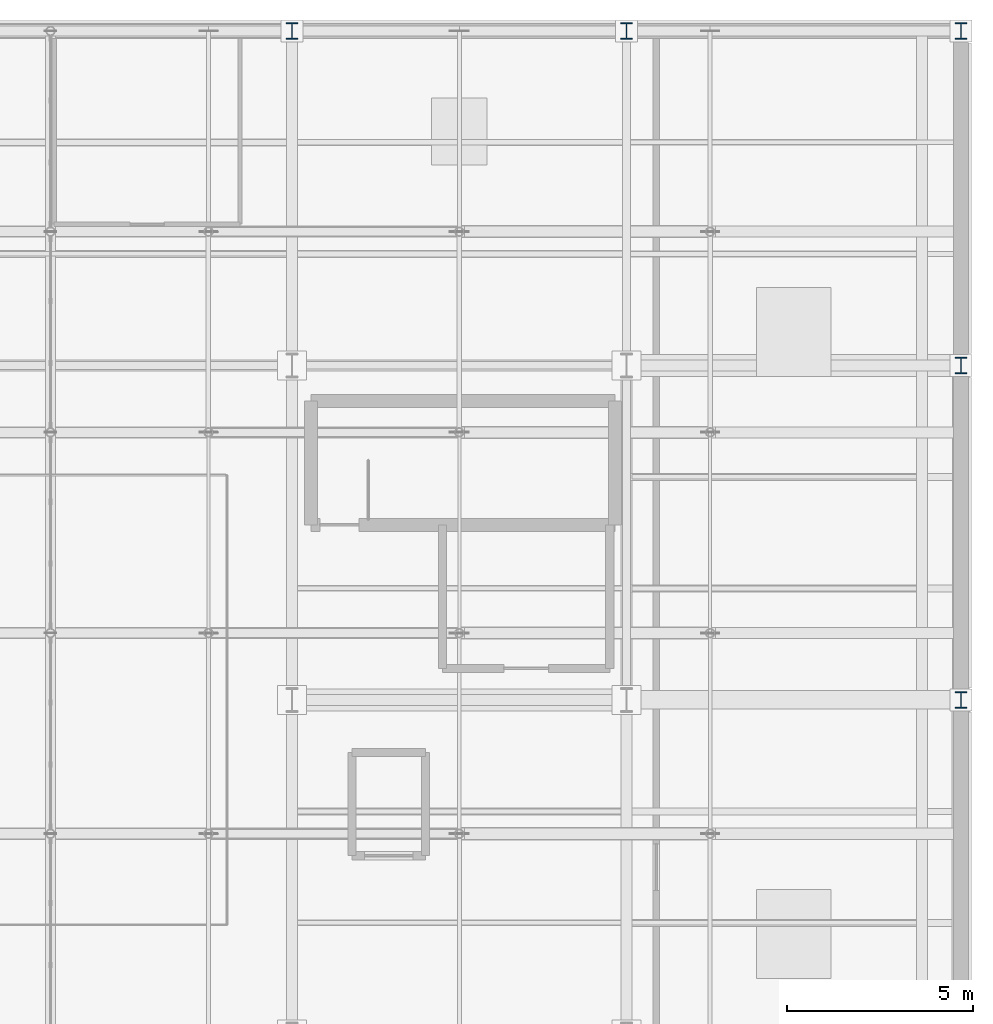
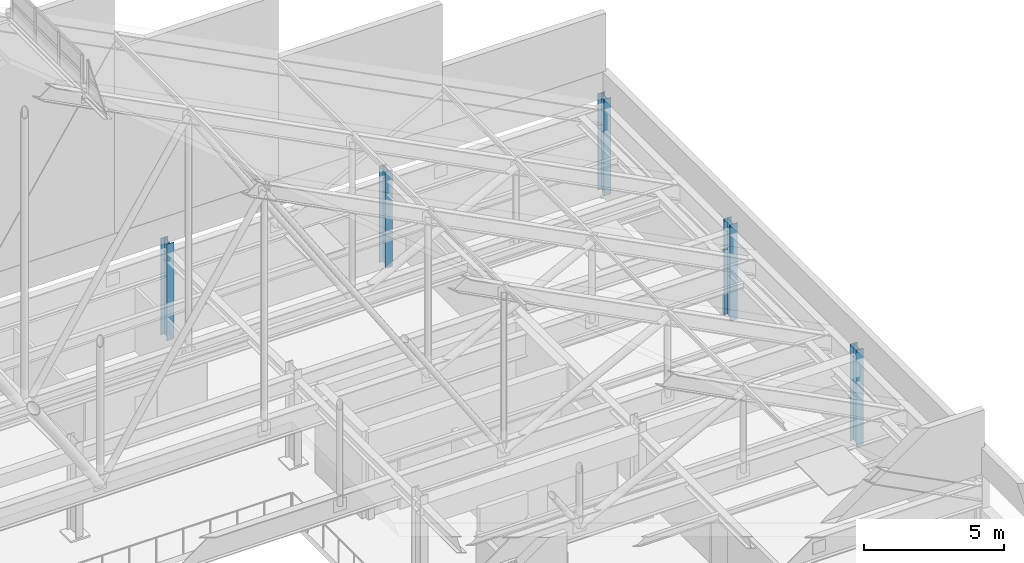
# One storey, part 4 of 84: 5 columns.
"""IFC4 building model written with IfcOpenShell, lengths in metres."""

from ifc_helpers import new_model, si_unit, direction, frame, origin, origin_2d, place, context, subcontext, project, spatial, i_section, extrude, material, material_profile, profile_set, type_object, element, save


model = new_model("IFC4")

# Units and contexts
model_context = context("Model", 3, precision=1e-05, world=origin(), true_north=direction((0.0, 1.0)))
body_context = subcontext(model_context, "Body", "Model", "MODEL_VIEW")
ifc_project = project(units=[si_unit("LENGTHUNIT", "METRE"), si_unit("AREAUNIT", "SQUARE_METRE"), si_unit("VOLUMEUNIT", "CUBIC_METRE"), si_unit("PLANEANGLEUNIT", "RADIAN"), si_unit("MASSUNIT", "GRAM", prefix="KILO")], contexts=[model_context])

# Site, building, storey
site_placement = place(None, origin())
site = spatial("IfcSite", under=ifc_project, at=site_placement, CompositionType="ELEMENT")
building_placement = place(site_placement, origin())
building = spatial("IfcBuilding", under=site, at=building_placement, Name="Sundgate Opera House", CompositionType="ELEMENT")
storey_placement = place(building_placement, frame((0.0, 0.0, 30.60009765625)))
storey = spatial("IfcBuildingStorey", under=building, at=storey_placement, Name="L06", CompositionType="ELEMENT", Elevation=30.60009765625)

# Columns
ifc_material = material(Name="Steel S355J2", Category="steel")
ifc_material_profile = material_profile(ifc_material, i_section(OverallWidth=0.300048828125, OverallDepth=0.449951171875, WebThickness=0.013916015625, FlangeThickness=0.02587890625, at=origin_2d()), Name="HEB 450")
ifc_profile_set = profile_set([ifc_material_profile], Name="Steel S355J2")
column_type = type_object("IfcColumnType", Name="CL-STL-450", PredefinedType="COLUMN", material=ifc_profile_set)
for number, where, z_axis, x_axis, name in (
    (1, (63.0, 87.0, 0.0), (0.0, 0.0, 1.0), (1.0, 0.0, 0.0), "L06 Column C0437"),
    (2, (72.0, 87.0, 0.0), (0.0, 0.0, 1.0), (1.0, 0.0, 0.0), "L06 Column C0504"),
    (3, (81.0, 69.0, 0.0), (0.0, 0.0, 1.0), (1.0, 0.0, 0.0), "L06 Column C0555"),
    (4, (81.0, 78.0, 0.0), (0.0, 0.0, 1.0), (1.0, 0.0, 0.0), "L06 Column C0561"),
    (5, (81.0, 87.0, 0.0), (0.0, 0.0, 1.0), (1.0, 0.0, 0.0), "L06 Column C0567"),
):
    element("IfcColumn", number, at=place(storey_placement, frame(where, z_axis=z_axis, x_axis=x_axis)), inside=storey, type_object=column_type, Name=name, PredefinedType="COLUMN", context=body_context, shape_type="SweptSolid", body=[
        extrude(i_section(OverallWidth=0.300048828125, OverallDepth=0.449951171875, WebThickness=0.013916015625, FlangeThickness=0.02587890625, at=origin_2d()), origin(), (0.0, 0.0, 1.0), 4.199951171875),
    ])

save(model, "model.ifc")
